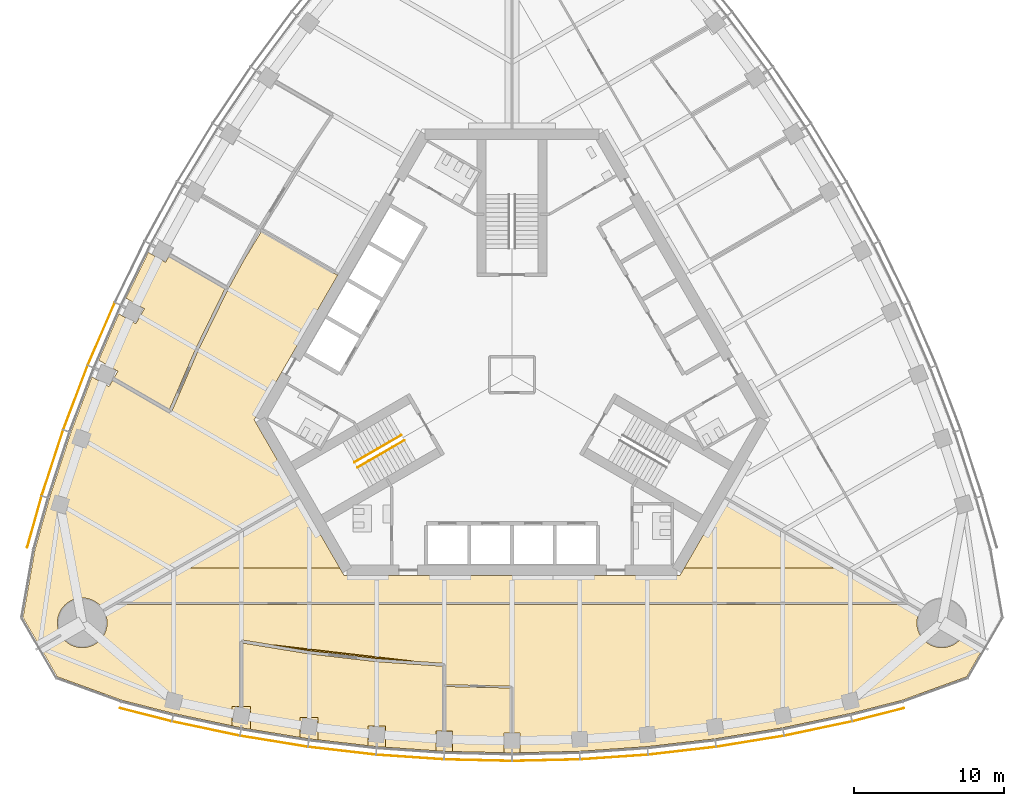
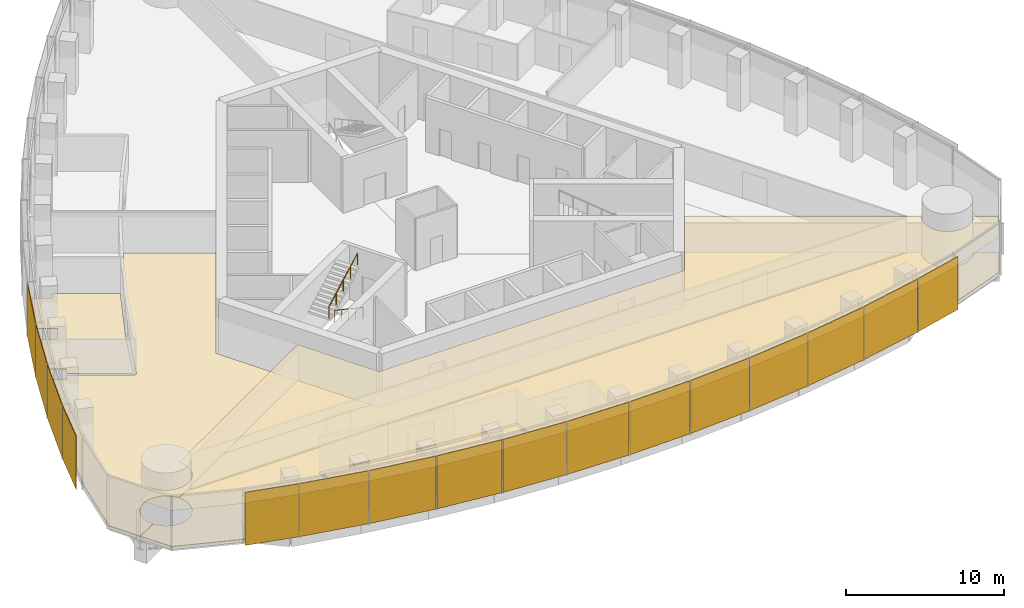
# One storey, part 15 of 19: 16 shading devices, 10 coverings, 2 railings.
"""IFC4 building model written with IfcOpenShell, lengths in metres."""

import ifcopenshell
import ifcopenshell.guid

model = None  # the IFC model being written
_history = None  # IfcOwnerHistory: only IFC2X3 demands one
_inside = {}  # id of a spatial element -> (the spatial element, [elements in it])
_under = {}  # id of a project, library or spatial element -> (it, [spatial elements below it])
_declared = {}  # id of a project -> (the project, [libraries it declares])
_typed = {}  # id of a type object -> (the type object, [elements of that type])
_made_of = {}  # id of a material, layer set ... -> (it, [elements and type objects made of it])


def new_model(schema):
    """Start an empty IFC model of exactly this schema.

    Asked for "IFC4X3", IfcOpenShell would pick the latest addendum, in which some entities
    have other attributes; the version numbers below select the first issue.
    IFC2X3 requires an IfcOwnerHistory on every rooted entity: one is made here for all.
    """
    global model, _history
    if schema == "IFC4X3":
        model = ifcopenshell.file(schema_version=(4, 3, 0, 0))
    else:
        model = ifcopenshell.file(schema=schema)
    _inside.clear()
    _under.clear()
    _declared.clear()
    _typed.clear()
    _made_of.clear()
    _history = None
    if model.schema == "IFC2X3":
        org = make("IfcOrganization", Name="unknown")
        user = make(
            "IfcPersonAndOrganization",
            ThePerson=make("IfcPerson", FamilyName="unknown"),
            TheOrganization=org,
        )
        app = make(
            "IfcApplication",
            ApplicationDeveloper=org,
            Version="unknown",
            ApplicationFullName="unknown",
            ApplicationIdentifier="unknown",
        )
        _history = make(
            "IfcOwnerHistory",
            OwningUser=user,
            OwningApplication=app,
            ChangeAction="ADDED",
            CreationDate=0,
        )
    return model


def make(cls, **values):
    """One entity of the class cls with the attributes given. An attribute that is None is left unset."""
    return model.create_entity(
        cls, **{name: value for name, value in values.items() if value is not None}
    )


def rooted(cls, **values):
    """An entity with a GlobalId (a new one), such as an element, a storey or a relation."""
    return make(cls, GlobalId=ifcopenshell.guid.new(), OwnerHistory=_history, **values)


def si_unit(unit_type, name, prefix=None):
    """IfcSIUnit, for example si_unit("LENGTHUNIT", "METRE", prefix="MILLI")."""
    return make("IfcSIUnit", UnitType=unit_type, Prefix=prefix, Name=name)


def assignment(units):
    """IfcUnitAssignment: the units of a project."""
    return None if units is None else make("IfcUnitAssignment", Units=units)


def point(xyz):
    """IfcCartesianPoint."""
    return None if xyz is None else make("IfcCartesianPoint", Coordinates=xyz)


def direction(xyz):
    """IfcDirection."""
    return None if xyz is None else make("IfcDirection", DirectionRatios=xyz)


def frame(location, z_axis=None, x_axis=None):
    """IfcAxis2Placement3D, a coordinate frame: its origin and axes. An axis left out is left unset."""
    return make(
        "IfcAxis2Placement3D",
        Location=point(location),
        Axis=direction(z_axis),
        RefDirection=direction(x_axis),
    )


def frame_2d(location, x_axis=None):
    """IfcAxis2Placement2D, a coordinate frame in the plane: its origin and x axis."""
    return make(
        "IfcAxis2Placement2D", Location=point(location), RefDirection=direction(x_axis)
    )


def origin():
    """The frame at (0, 0, 0) with its axes left unset."""
    return frame((0.0, 0.0, 0.0))


def origin_2d():
    """The frame at (0, 0) in the plane with its x axis left unset."""
    return frame_2d((0.0, 0.0))


def place(relative_to, where):
    """IfcLocalPlacement: puts the frame where relative to a parent placement (None: the world)."""
    return make(
        "IfcLocalPlacement", PlacementRelTo=relative_to, RelativePlacement=where
    )


def context(
    kind, dimensions, precision=None, world=None, true_north=None, identifier=None
):
    """IfcGeometricRepresentationContext, for example the 3D "Model" context."""
    return make(
        "IfcGeometricRepresentationContext",
        ContextIdentifier=identifier,
        ContextType=kind,
        CoordinateSpaceDimension=dimensions,
        Precision=precision,
        WorldCoordinateSystem=world,
        TrueNorth=true_north,
    )


def subcontext(parent, identifier, kind, view, scale=None):
    """IfcGeometricRepresentationSubContext, for example "Body" below "Model"."""
    return make(
        "IfcGeometricRepresentationSubContext",
        ContextIdentifier=identifier,
        ContextType=kind,
        ParentContext=parent,
        TargetScale=scale,
        TargetView=view,
    )


def project(units=None, contexts=None):
    """IfcProject with its units and contexts."""
    return rooted(
        "IfcProject",
        Name="project",
        RepresentationContexts=contexts,
        UnitsInContext=assignment(units),
    )


def spatial(cls, under=None, at=None, **own):
    """A site, building, storey or space (cls), placed at a placement, below another one or the project."""
    s = rooted(cls, ObjectPlacement=at, **own)
    if under is not None:
        _under.setdefault(under.id(), (under, []))[1].append(s)
    return s


def polyline(points):
    """IfcPolyline through the points."""
    return make("IfcPolyline", Points=[point(p) for p in points])


def profile(cls, at=None, kind="AREA", **sizes):
    """A parametric profile (cls). Its sizes go by their IFC names, for example OverallWidth=200.0."""
    return make(cls, ProfileType=kind, Position=at, **sizes)


def rectangle(**sizes):
    """IfcRectangleProfileDef."""
    return profile("IfcRectangleProfileDef", **sizes)


def circle(**sizes):
    """IfcCircleProfileDef."""
    return profile("IfcCircleProfileDef", **sizes)


def outline(outer, holes=None, kind="AREA"):
    """IfcArbitraryClosedProfileDef: a profile drawn as a closed curve; with holes, ...WithVoids."""
    if holes is None:
        return make("IfcArbitraryClosedProfileDef", ProfileType=kind, OuterCurve=outer)
    return make(
        "IfcArbitraryProfileDefWithVoids",
        ProfileType=kind,
        OuterCurve=outer,
        InnerCurves=holes,
    )


def extrude(swept, where, along, depth):
    """IfcExtrudedAreaSolid: the profile swept, set in the frame where, extruded along a direction by depth."""
    return make(
        "IfcExtrudedAreaSolid",
        SweptArea=swept,
        Position=where,
        ExtrudedDirection=direction(along),
        Depth=depth,
    )


def shape(context_of_items, identifier, shape_type, items):
    """IfcShapeRepresentation: the items that make up one representation, for example the "Body"."""
    return make(
        "IfcShapeRepresentation",
        ContextOfItems=context_of_items,
        RepresentationIdentifier=identifier,
        RepresentationType=shape_type,
        Items=items,
    )


def material(Name=None, Category=None):
    """IfcMaterial."""
    return make("IfcMaterial", Name=Name, Category=Category)


def layer(
    of_material, thickness, ventilated=None, Name=None, Category=None, Priority=None
):
    """IfcMaterialLayer: one layer of a wall or slab, of a material (None: an air gap)."""
    return make(
        "IfcMaterialLayer",
        Material=of_material,
        LayerThickness=thickness,
        IsVentilated=ventilated,
        Name=Name,
        Category=Category,
        Priority=Priority,
    )


def layer_set(layers, Name=None):
    """IfcMaterialLayerSet."""
    return make("IfcMaterialLayerSet", MaterialLayers=layers, LayerSetName=Name)


def made_of(thing, what):
    """Note that an element or type object is made of a material, layer set ...; save() writes the relation."""
    if what is not None:
        _made_of.setdefault(what.id(), (what, []))[1].append(thing)
    return thing


def type_object(cls, material=None, **own):
    """A type object (cls), such as IfcWallType, which elements share."""
    return made_of(rooted(cls, **own), material)


def element(
    cls,
    number,
    at=None,
    inside=None,
    cuts=None,
    type_object=None,
    material=None,
    context=None,
    identifier="Body",
    shape_type=None,
    held_by="IfcProductDefinitionShape",
    body=None,
    shapes=None,
    **own,
):
    """One element of the class cls, such as IfcWall. Its Tag is "e" and its number.

    at: its placement. inside: the storey or other place that contains it. cuts: it is an
    opening in that element (IfcRelVoidsElement). A single representation is given by context,
    identifier, shape_type and body (its items); several are given by shapes. held_by: the class
    of the entity that holds the representations. save() writes the other relations.
    """
    e = rooted(cls, Tag="e%d" % number, ObjectPlacement=at, **own)
    if body is not None:
        shapes = [shape(context, identifier, shape_type, body)]
    if shapes is not None:
        e.Representation = make(held_by, Representations=shapes)
    if inside is not None:
        _inside.setdefault(inside.id(), (inside, []))[1].append(e)
    if cuts is not None:
        rooted(
            "IfcRelVoidsElement", RelatingBuildingElement=cuts, RelatedOpeningElement=e
        )
    if type_object is not None:
        _typed.setdefault(type_object.id(), (type_object, []))[1].append(e)
    return made_of(e, material)


def aggregate(whole, parts):
    """IfcRelAggregates: a whole, such as a stair, and the parts it consists of."""
    return rooted("IfcRelAggregates", RelatingObject=whole, RelatedObjects=parts)


def save(model, path):
    """Write the relations noted so far, then the file.

    IfcRelAggregates (storeys below a building ...), IfcRelContainedInSpatialStructure (elements
    in a storey), IfcRelDefinesByType, IfcRelAssociatesMaterial and IfcRelDeclares: one each for
    every whole, place, type object, material and project.
    """
    for whole, parts in _under.values():
        aggregate(whole, parts)
    for where, things in _inside.values():
        rooted(
            "IfcRelContainedInSpatialStructure",
            RelatedElements=things,
            RelatingStructure=where,
        )
    for kind, things in _typed.values():
        rooted("IfcRelDefinesByType", RelatedObjects=things, RelatingType=kind)
    for what, things in _made_of.values():
        rooted("IfcRelAssociatesMaterial", RelatedObjects=things, RelatingMaterial=what)
    for by, libraries in _declared.values():
        rooted("IfcRelDeclares", RelatingContext=by, RelatedDefinitions=libraries)
    model.write(path)


model = new_model("IFC4")

# Units and contexts
model_context = context("Model", 3, precision=1e-05, world=origin(), true_north=direction((0.0, 1.0)))
body_context = subcontext(model_context, "Body", "Model", "MODEL_VIEW")
ifc_project = project(units=[si_unit("LENGTHUNIT", "METRE"), si_unit("AREAUNIT", "SQUARE_METRE"), si_unit("VOLUMEUNIT", "CUBIC_METRE"), si_unit("PLANEANGLEUNIT", "RADIAN"), si_unit("MASSUNIT", "GRAM", prefix="KILO")], contexts=[model_context])

# Site, building, storey
site_placement = place(None, origin())
site = spatial("IfcSite", under=ifc_project, at=site_placement, CompositionType="ELEMENT")
building_placement = place(site_placement, origin())
building = spatial("IfcBuilding", under=site, at=building_placement, Name="Trefoil Bronze Tower", CompositionType="ELEMENT")
storey_placement = place(building_placement, frame((0.0, 0.0, 227.5)))
storey = spatial("IfcBuildingStorey", under=building, at=storey_placement, Name="L52", CompositionType="ELEMENT", Elevation=227.5)

# Shading devices
ifc_material_1 = material(Name="Perforated bronze sheet", Category="bronze")
ifc_layer_1 = layer(ifc_material_1, 0.0400390625)
ifc_layer_set_1 = layer_set([ifc_layer_1], Name="Bronze solar screen panel")
shading_device_type = type_object("IfcShadingDeviceType", Name="Bronze solar screen panel", PredefinedType="SHUTTER", material=ifc_layer_set_1)
shading_device_1_placement = place(storey_placement, frame((-24.360107421875, -22.614501953125, 0.050048828125), z_axis=(0.0, 0.0, 1.0), x_axis=(0.968934035393, -0.247319297786, 0.0)))
element("IfcShadingDevice", 1, at=shading_device_1_placement, inside=storey, type_object=shading_device_type, Name="Solar screen CW-A L52 F1 bay 1", PredefinedType="SHUTTER", context=body_context, shape_type="SweptSolid", body=[
    extrude(rectangle(XDim=3.53369140625, YDim=0.0400390625, at=origin_2d()), origin(), (0.0, 0.0, 1.0), 4.10009765625),
])
shading_device_2_placement = place(storey_placement, frame((-20.361572265625, -23.535888671875, 0.050048828125), z_axis=(0.0, 0.0, 1.0), x_axis=(0.978394335897, -0.20674748725, 0.0)))
element("IfcShadingDevice", 2, at=shading_device_2_placement, inside=storey, type_object=shading_device_type, Name="Solar screen CW-A L52 F1 bay 2", PredefinedType="SHUTTER", context=body_context, shape_type="SweptSolid", body=[
    extrude(rectangle(XDim=4.5693359375, YDim=0.0400390625, at=origin_2d()), origin(), (0.0, 0.0, 1.0), 4.10009765625),
])
shading_device_3_placement = place(storey_placement, frame((-15.8369140625, -24.382568359375, 0.050048828125), z_axis=(0.0, 0.0, 1.0), x_axis=(0.986986549528, -0.160802832848, 0.0)))
element("IfcShadingDevice", 3, at=shading_device_3_placement, inside=storey, type_object=shading_device_type, Name="Solar screen CW-A L52 F1 bay 3", PredefinedType="SHUTTER", context=body_context, shape_type="SweptSolid", body=[
    extrude(rectangle(XDim=4.529296875, YDim=0.0400390625, at=origin_2d()), origin(), (0.0, 0.0, 1.0), 4.10009765625),
])
shading_device_4_placement = place(storey_placement, frame((-11.31201171875, -25.0126953125, 0.050048828125), z_axis=(0.0, 0.0, 1.0), x_axis=(0.993381831741, -0.114858767043, 0.0)))
element("IfcShadingDevice", 4, at=shading_device_4_placement, inside=storey, type_object=shading_device_type, Name="Solar screen CW-A L52 F1 bay 4", PredefinedType="SHUTTER", context=body_context, shape_type="SweptSolid", body=[
    extrude(rectangle(XDim=4.5, YDim=0.0400390625, at=origin_2d()), origin(), (0.0, 0.0, 1.0), 4.10009765625),
])
shading_device_5_placement = place(storey_placement, frame((-6.787109375, -25.430419921875, 0.050048828125), z_axis=(0.0, 0.0, 1.0), x_axis=(0.99762252804, -0.068915103905, 0.0)))
element("IfcShadingDevice", 5, at=shading_device_5_placement, inside=storey, type_object=shading_device_type, Name="Solar screen CW-A L52 F1 bay 5", PredefinedType="SHUTTER", context=body_context, shape_type="SweptSolid", body=[
    extrude(rectangle(XDim=4.480712890625, YDim=0.0400390625, at=origin_2d()), origin(), (0.0, 0.0, 1.0), 4.10009765625),
])
for number, where, z_axis, x_axis, name in (
    (6, (-2.262451171875, -25.638671875, 0.050048828125), (0.0, 0.0, 1.0), (0.999736116243, -0.022971675577, 0.0), "Solar screen CW-A L52 F1 bay 6"),
    (7, (2.262451171875, -25.638671875, 0.050048828125), (0.0, 0.0, 1.0), (0.999736116243, 0.022971675577, 0.0), "Solar screen CW-A L52 F1 bay 7"),
):
    element("IfcShadingDevice", number, at=place(storey_placement, frame(where, z_axis=z_axis, x_axis=x_axis)), inside=storey, type_object=shading_device_type, Name=name, PredefinedType="SHUTTER", context=body_context, shape_type="SweptSolid", body=[
        extrude(rectangle(XDim=4.47119140625, YDim=0.0400390625, at=origin_2d()), origin(), (0.0, 0.0, 1.0), 4.10009765625),
    ])
shading_device_6_placement = place(storey_placement, frame((6.787109375, -25.430419921875, 0.050048828125), z_axis=(0.0, 0.0, 1.0), x_axis=(0.99762252804, 0.068915103905, 0.0)))
element("IfcShadingDevice", 8, at=shading_device_6_placement, inside=storey, type_object=shading_device_type, Name="Solar screen CW-A L52 F1 bay 8", PredefinedType="SHUTTER", context=body_context, shape_type="SweptSolid", body=[
    extrude(rectangle(XDim=4.480712890625, YDim=0.0400390625, at=origin_2d()), origin(), (0.0, 0.0, 1.0), 4.10009765625),
])
shading_device_7_placement = place(storey_placement, frame((11.31201171875, -25.0126953125, 0.050048828125), z_axis=(0.0, 0.0, 1.0), x_axis=(0.993381831741, 0.114858767043, 0.0)))
element("IfcShadingDevice", 9, at=shading_device_7_placement, inside=storey, type_object=shading_device_type, Name="Solar screen CW-A L52 F1 bay 9", PredefinedType="SHUTTER", context=body_context, shape_type="SweptSolid", body=[
    extrude(rectangle(XDim=4.5, YDim=0.0400390625, at=origin_2d()), origin(), (0.0, 0.0, 1.0), 4.10009765625),
])
shading_device_8_placement = place(storey_placement, frame((15.8369140625, -24.382568359375, 0.050048828125), z_axis=(0.0, 0.0, 1.0), x_axis=(0.986986549528, 0.160802832848, 0.0)))
element("IfcShadingDevice", 10, at=shading_device_8_placement, inside=storey, type_object=shading_device_type, Name="Solar screen CW-A L52 F1 bay 10", PredefinedType="SHUTTER", context=body_context, shape_type="SweptSolid", body=[
    extrude(rectangle(XDim=4.529296875, YDim=0.0400390625, at=origin_2d()), origin(), (0.0, 0.0, 1.0), 4.10009765625),
])
shading_device_9_placement = place(storey_placement, frame((20.361572265625, -23.535888671875, 0.050048828125), z_axis=(0.0, 0.0, 1.0), x_axis=(0.978394335897, 0.20674748725, 0.0)))
element("IfcShadingDevice", 11, at=shading_device_9_placement, inside=storey, type_object=shading_device_type, Name="Solar screen CW-A L52 F1 bay 11", PredefinedType="SHUTTER", context=body_context, shape_type="SweptSolid", body=[
    extrude(rectangle(XDim=4.5693359375, YDim=0.0400390625, at=origin_2d()), origin(), (0.0, 0.0, 1.0), 4.10009765625),
])
shading_device_10_placement = place(storey_placement, frame((24.360107421875, -22.614501953125, 0.050048828125), z_axis=(0.0, 0.0, 1.0), x_axis=(0.968934035393, 0.247319297786, 0.0)))
element("IfcShadingDevice", 12, at=shading_device_10_placement, inside=storey, type_object=shading_device_type, Name="Solar screen CW-A L52 F1 bay 12", PredefinedType="SHUTTER", context=body_context, shape_type="SweptSolid", body=[
    extrude(rectangle(XDim=3.53369140625, YDim=0.0400390625, at=origin_2d()), origin(), (0.0, 0.0, 1.0), 4.10009765625),
])
shading_device_11_placement = place(storey_placement, frame((-27.317626953125, 2.709716796875, 0.050048828125), z_axis=(0.0, 0.0, 1.0), x_axis=(-0.397220305764, -0.917723285467, 0.0)))
element("IfcShadingDevice", 13, at=shading_device_11_placement, inside=storey, type_object=shading_device_type, Name="Solar screen CW-A L52 F3 bay 9", PredefinedType="SHUTTER", context=body_context, shape_type="SweptSolid", body=[
    extrude(rectangle(XDim=4.5, YDim=0.0400390625, at=origin_2d()), origin(), (0.0, 0.0, 1.0), 4.10009765625),
])
shading_device_12_placement = place(storey_placement, frame((-29.0341796875, -1.52392578125, 0.050048828125), z_axis=(0.0, 0.0, 1.0), x_axis=(-0.354233936517, -0.935156841508, 0.0)))
element("IfcShadingDevice", 14, at=shading_device_12_placement, inside=storey, type_object=shading_device_type, Name="Solar screen CW-A L52 F3 bay 10", PredefinedType="SHUTTER", context=body_context, shape_type="SweptSolid", body=[
    extrude(rectangle(XDim=4.529296875, YDim=0.0400390625, at=origin_2d()), origin(), (0.0, 0.0, 1.0), 4.10009765625),
])
shading_device_13_placement = place(storey_placement, frame((-30.5634765625, -5.86572265625, 0.050048828125), z_axis=(0.0, 0.0, 1.0), x_axis=(-0.310148591821, -0.950688093431, 0.0)))
element("IfcShadingDevice", 15, at=shading_device_13_placement, inside=storey, type_object=shading_device_type, Name="Solar screen CW-A L52 F3 bay 11", PredefinedType="SHUTTER", context=body_context, shape_type="SweptSolid", body=[
    extrude(rectangle(XDim=4.5693359375, YDim=0.0400390625, at=origin_2d()), origin(), (0.0, 0.0, 1.0), 4.10009765625),
])
shading_device_14_placement = place(storey_placement, frame((-31.764892578125, -9.7890625, 0.050048828125), z_axis=(0.0, 0.0, 1.0), x_axis=(-0.270282222968, -0.962781138134, 0.0)))
element("IfcShadingDevice", 16, at=shading_device_14_placement, inside=storey, type_object=shading_device_type, Name="Solar screen CW-A L52 F3 bay 12", PredefinedType="SHUTTER", context=body_context, shape_type="SweptSolid", body=[
    extrude(rectangle(XDim=3.53369140625, YDim=0.0400390625, at=origin_2d()), origin(), (0.0, 0.0, 1.0), 4.10009765625),
])

# Railings
ifc_material_2 = material(Name="Steel handrail", Category="steel")
railing_type = type_object("IfcRailingType", Name="Handrail 900", PredefinedType="HANDRAIL", material=ifc_material_2)
railing_1_placement = place(storey_placement, frame((-7.166015625, -4.3681640625, 0.16162109375)))
element("IfcRailing", 17, at=railing_1_placement, inside=storey, type_object=railing_type, Name="Handrail ST3 flight 1 L52", PredefinedType="HANDRAIL", context=body_context, shape_type="SweptSolid", body=[
    extrude(circle(Radius=0.02392578125, at=origin_2d()), frame((0.0, 0.0, 0.8759765625), z_axis=(-0.76250339821, -0.440245697338, 0.474101564745), x_axis=(0.500012057535, -0.866018442252, 0.0)), (0.0, 0.0, 1.0), 4.088623046875),
    extrude(circle(Radius=0.02099609375, at=origin_2d()), origin(), (0.0, 0.0, 1.0), 0.851806640625),
    extrude(circle(Radius=0.02099609375, at=origin_2d()), frame((-0.779296875, -0.449951171875, 0.484619140625)), (0.0, 0.0, 1.0), 0.851806640625),
    extrude(circle(Radius=0.02099609375, at=origin_2d()), frame((-1.558837890625, -0.89990234375, 0.96923828125)), (0.0, 0.0, 1.0), 0.851806640625),
    extrude(circle(Radius=0.02099609375, at=origin_2d()), frame((-2.33837890625, -1.35009765625, 1.453857421875)), (0.0, 0.0, 1.0), 0.851806640625),
    extrude(circle(Radius=0.02099609375, at=origin_2d()), frame((-3.11767578125, -1.800048828125, 1.9384765625)), (0.0, 0.0, 1.0), 0.851806640625),
])
railing_2_placement = place(storey_placement, frame((-10.483642578125, -5.82177734375, 2.261474609375)))
element("IfcRailing", 18, at=railing_2_placement, inside=storey, type_object=railing_type, Name="Handrail ST3 flight 2 L52", PredefinedType="HANDRAIL", context=body_context, shape_type="SweptSolid", body=[
    extrude(circle(Radius=0.02392578125, at=origin_2d()), frame((0.0, 0.0, 0.8759765625), z_axis=(0.76250339821, 0.440245697338, 0.474101564745), x_axis=(-0.500012057535, 0.866018442252, 0.0)), (0.0, 0.0, 1.0), 4.088623046875),
    extrude(circle(Radius=0.02099609375, at=origin_2d()), origin(), (0.0, 0.0, 1.0), 0.851806640625),
    extrude(circle(Radius=0.02099609375, at=origin_2d()), frame((0.779296875, 0.449951171875, 0.484619140625)), (0.0, 0.0, 1.0), 0.851806640625),
    extrude(circle(Radius=0.02099609375, at=origin_2d()), frame((1.558837890625, 0.89990234375, 0.96923828125)), (0.0, 0.0, 1.0), 0.851806640625),
    extrude(circle(Radius=0.02099609375, at=origin_2d()), frame((2.33837890625, 1.35009765625, 1.453857421875)), (0.0, 0.0, 1.0), 0.851806640625),
    extrude(circle(Radius=0.02099609375, at=origin_2d()), frame((3.11767578125, 1.800048828125, 1.9384765625)), (0.0, 0.0, 1.0), 0.851806640625),
])

# Coverings
ifc_material_3 = material(Name="Acoustic ceiling panels", Category="mineral fibre")
ifc_layer_2 = layer(ifc_material_3, 0.02001953125)
ifc_layer_set_2 = layer_set([ifc_layer_2], Name="Office ceiling 20")
covering_type_1 = type_object("IfcCoveringType", Name="Office ceiling 20", PredefinedType="CEILING", material=ifc_layer_set_2)
covering_1_placement = place(storey_placement, frame((0.0, 0.0, 2.89990234375)))
element("IfcCovering", 19, at=covering_1_placement, inside=storey, type_object=covering_type_1, Name="Ceiling L52 Open-plan office F1", PredefinedType="CEILING", context=body_context, shape_type="SweptSolid", body=[
    extrude(outline(polyline([(-29.95068359375, -17.416748046875), (-29.904052734375, -17.48291015625), (-29.854248046875, -17.546630859375), (-29.801513671875, -17.608154296875), (-29.74560546875, -17.666748046875), (-29.68701171875, -17.72265625), (-29.62548828125, -17.775390625), (-29.561767578125, -17.8251953125), (-29.49560546875, -17.871826171875), (-29.427001953125, -17.915283203125), (-29.356689453125, -17.955078125), (-29.2841796875, -17.99169921875), (-29.210205078125, -18.0244140625), (-29.134765625, -18.053466796875), (-29.057861328125, -18.0791015625), (-28.979736328125, -18.1005859375), (-28.900634765625, -18.118408203125), (-28.82080078125, -18.132080078125), (-28.740478515625, -18.14208984375), (-28.659912109375, -18.14794921875), (-28.578857421875, -18.14990234375), (-28.497802734375, -18.14794921875), (-28.4169921875, -18.14208984375), (-28.336669921875, -18.132080078125), (-28.2568359375, -18.118408203125), (-28.177978515625, -18.1005859375), (-28.099853515625, -18.0791015625), (-28.02294921875, -18.053466796875), (-27.947509765625, -18.0244140625), (-27.873291015625, -17.99169921875), (-27.801025390625, -17.955078125), (-27.730712890625, -17.915283203125), (-27.662109375, -17.871826171875), (-27.595947265625, -17.8251953125), (-27.531982421875, -17.775390625), (-27.470703125, -17.72265625), (-27.412109375, -17.666748046875), (-27.356201171875, -17.608154296875), (-27.303466796875, -17.546630859375), (-27.25341796875, -17.48291015625), (-27.206787109375, -17.416748046875), (-27.16357421875, -17.348388671875), (-27.123779296875, -17.27783203125), (-27.08740234375, -17.20556640625), (-27.054443359375, -17.13134765625), (-27.025390625, -17.055908203125), (-27.0, -16.97900390625), (-26.978271484375, -16.90087890625), (-26.96044921875, -16.822021484375), (-26.94677734375, -16.7421875), (-26.936767578125, -16.66162109375), (-26.930908203125, -16.5810546875), (-26.9287109375, -16.5), (-26.930908203125, -16.4189453125), (-26.936767578125, -16.33837890625), (-26.94677734375, -16.2578125), (-26.96044921875, -16.177978515625), (-26.978271484375, -16.09912109375), (-27.0, -16.02099609375), (-27.025390625, -15.944091796875), (-27.054443359375, -15.86865234375), (-27.08740234375, -15.79443359375), (-27.123779296875, -15.72216796875), (-27.14453125, -15.685546875), (-14.156494140625, -8.180419921875), (-11.171630859375, -13.35009765625), (11.171630859375, -13.35009765625), (14.156494140625, -8.180419921875), (27.14453125, -15.685546875), (27.123779296875, -15.72216796875), (27.08740234375, -15.79443359375), (27.054443359375, -15.86865234375), (27.025390625, -15.944091796875), (27.0, -16.02099609375), (26.978271484375, -16.09912109375), (26.96044921875, -16.177978515625), (26.94677734375, -16.2578125), (26.936767578125, -16.33837890625), (26.930908203125, -16.4189453125), (26.9287109375, -16.5), (26.930908203125, -16.5810546875), (26.936767578125, -16.66162109375), (26.94677734375, -16.7421875), (26.96044921875, -16.822021484375), (26.978271484375, -16.90087890625), (27.0, -16.97900390625), (27.025390625, -17.055908203125), (27.054443359375, -17.13134765625), (27.08740234375, -17.20556640625), (27.123779296875, -17.27783203125), (27.16357421875, -17.348388671875), (27.206787109375, -17.416748046875), (27.25341796875, -17.48291015625), (27.303466796875, -17.546630859375), (27.356201171875, -17.608154296875), (27.412109375, -17.666748046875), (27.470703125, -17.72265625), (27.531982421875, -17.775390625), (27.595947265625, -17.8251953125), (27.662109375, -17.871826171875), (27.730712890625, -17.915283203125), (27.801025390625, -17.955078125), (27.873291015625, -17.99169921875), (27.947509765625, -18.0244140625), (28.02294921875, -18.053466796875), (28.099853515625, -18.0791015625), (28.177978515625, -18.1005859375), (28.2568359375, -18.118408203125), (28.336669921875, -18.132080078125), (28.4169921875, -18.14208984375), (28.497802734375, -18.14794921875), (28.578857421875, -18.14990234375), (28.659912109375, -18.14794921875), (28.740478515625, -18.14208984375), (28.82080078125, -18.132080078125), (28.900634765625, -18.118408203125), (28.979736328125, -18.1005859375), (29.057861328125, -18.0791015625), (29.134765625, -18.053466796875), (29.210205078125, -18.0244140625), (29.2841796875, -17.99169921875), (29.356689453125, -17.955078125), (29.427001953125, -17.915283203125), (29.49560546875, -17.871826171875), (29.561767578125, -17.8251953125), (29.62548828125, -17.775390625), (29.68701171875, -17.72265625), (29.74560546875, -17.666748046875), (29.801513671875, -17.608154296875), (29.854248046875, -17.546630859375), (29.904052734375, -17.48291015625), (29.95068359375, -17.416748046875), (30.0009765625, -17.336181640625), (31.37158203125, -18.1279296875), (30.23828125, -20.0908203125), (25.952880859375, -21.650634765625), (22.5, -22.531982421875), (18.0, -23.48291015625), (13.5, -24.216064453125), (9.0, -24.736328125), (4.5, -25.047119140625), (0.0, -25.150634765625), (-4.5, -25.047119140625), (-9.0, -24.736328125), (-13.5, -24.216064453125), (-18.0, -23.48291015625), (-22.5, -22.531982421875), (-25.952880859375, -21.650634765625), (-30.23828125, -20.0908203125), (-31.37158203125, -18.1279296875), (-30.0009765625, -17.336181640625), (-29.95068359375, -17.416748046875)])), origin(), (0.0, 0.0, 1.0), 0.02001953125),
])
ifc_material_4 = material(Name="Raised access floor panels", Category="steel")
ifc_layer_3 = layer(ifc_material_4, 0.050048828125)
ifc_layer_set_3 = layer_set([ifc_layer_3], Name="Raised access floor 150")
covering_type_2 = type_object("IfcCoveringType", Name="Raised access floor 150", PredefinedType="FLOORING", material=ifc_layer_set_3)
covering_2_placement = place(storey_placement, frame((0.0, 0.0, 0.10009765625)))
element("IfcCovering", 20, at=covering_2_placement, inside=storey, type_object=covering_type_2, Name="Raised floor L52 Training room F1", PredefinedType="FLOORING", context=body_context, shape_type="SweptSolid", body=[
    extrude(outline(polyline([(-12.906494140625, -24.28466796875), (-12.906494140625, -22.81494140625), (-14.093505859375, -22.81494140625), (-14.093505859375, -24.119384765625), (-17.38623046875, -23.5830078125), (-17.38623046875, -22.055419921875), (-17.89990234375, -22.055419921875), (-17.89990234375, -17.8505859375), (-13.51611328125, -18.564697265625), (-13.5, -18.466064453125), (-13.511474609375, -18.5654296875), (-9.011474609375, -19.085693359375), (-9.0, -18.986328125), (-9.0068359375, -19.086181640625), (-4.60009765625, -19.390625), (-4.60009765625, -23.69091796875), (-4.5, -23.69091796875), (-4.5, -23.69677734375), (-5.049560546875, -23.69677734375), (-5.049560546875, -25.00927734375), (-8.427978515625, -24.77587890625), (-8.427978515625, -23.36083984375), (-9.572021484375, -23.36083984375), (-9.572021484375, -24.670166015625), (-12.906494140625, -24.28466796875)])), origin(), (0.0, 0.0, 1.0), 0.0498046875),
])
covering_3_placement = place(storey_placement, frame((0.0, 0.0, 0.10009765625)))
element("IfcCovering", 21, at=covering_3_placement, inside=storey, type_object=covering_type_2, Name="Raised floor L52 Training room F1", PredefinedType="FLOORING", context=body_context, shape_type="SweptSolid", body=[
    extrude(outline(polyline([(-6.64208984375, -19.049072265625), (-8.99072265625, -18.88671875), (-13.486083984375, -18.366943359375), (-15.846435546875, -17.982421875), (-6.64208984375, -19.049072265625)])), origin(), (0.0, 0.0, 1.0), 0.0498046875),
])
covering_4_placement = place(storey_placement, frame((0.0, 0.0, 0.10009765625)))
element("IfcCovering", 22, at=covering_4_placement, inside=storey, type_object=covering_type_2, Name="Raised floor L52 Pantry F1", PredefinedType="FLOORING", context=body_context, shape_type="SweptSolid", body=[
    extrude(outline(polyline([(-4.5, -23.69091796875), (-4.39990234375, -23.69091796875), (-4.39990234375, -20.739501953125), (-0.06005859375, -20.83935546875), (-0.06005859375, -23.795654296875), (0.0, -23.795654296875), (0.0, -23.82470703125), (-0.52587890625, -23.82470703125), (-0.52587890625, -25.138427734375), (-3.950439453125, -25.059814453125), (-3.950439453125, -23.69677734375), (-4.5, -23.69677734375), (-4.5, -23.69091796875)])), origin(), (0.0, 0.0, 1.0), 0.0498046875),
])
covering_5_placement = place(storey_placement, frame((0.0, 0.0, 0.10009765625)))
element("IfcCovering", 23, at=covering_5_placement, inside=storey, type_object=covering_type_2, Name="Raised floor L52 Corridor F1", PredefinedType="FLOORING", context=body_context, shape_type="SweptSolid", body=[
    extrude(outline(polyline([(26.218017578125, -15.14990234375), (-26.218017578125, -15.14990234375), (-22.237548828125, -12.85009765625), (-11.46044921875, -12.85009765625), (-11.171630859375, -13.35009765625), (11.171630859375, -13.35009765625), (11.46044921875, -12.85009765625), (22.237548828125, -12.85009765625), (26.218017578125, -15.14990234375)])), origin(), (0.0, 0.0, 1.0), 0.0498046875),
])
covering_6_placement = place(storey_placement, frame((0.0, 0.0, 0.10009765625)))
element("IfcCovering", 24, at=covering_6_placement, inside=storey, type_object=covering_type_2, Name="Raised floor L52 Open-plan office F1", PredefinedType="FLOORING", context=body_context, shape_type="SweptSolid", body=[
    extrude(outline(polyline([(-27.123779296875, -15.72216796875), (-27.14453125, -15.685546875), (-26.311767578125, -15.2041015625), (-26.311767578125, -15.27001953125), (26.311767578125, -15.27001953125), (26.311767578125, -15.2041015625), (27.14453125, -15.685546875), (27.123779296875, -15.72216796875), (27.08740234375, -15.79443359375), (27.054443359375, -15.86865234375), (27.025390625, -15.944091796875), (27.0, -16.02099609375), (26.978271484375, -16.09912109375), (26.96044921875, -16.177978515625), (26.94677734375, -16.2578125), (26.936767578125, -16.33837890625), (26.930908203125, -16.4189453125), (26.9287109375, -16.5), (26.930908203125, -16.5810546875), (26.936767578125, -16.66162109375), (26.94677734375, -16.7421875), (26.96044921875, -16.822021484375), (26.978271484375, -16.90087890625), (27.0, -16.97900390625), (27.025390625, -17.055908203125), (27.054443359375, -17.13134765625), (27.08740234375, -17.20556640625), (27.123779296875, -17.27783203125), (27.16357421875, -17.348388671875), (27.206787109375, -17.416748046875), (27.25341796875, -17.48291015625), (27.303466796875, -17.546630859375), (27.356201171875, -17.608154296875), (27.412109375, -17.666748046875), (27.470703125, -17.72265625), (27.531982421875, -17.775390625), (27.595947265625, -17.8251953125), (27.662109375, -17.871826171875), (27.730712890625, -17.915283203125), (27.801025390625, -17.955078125), (27.873291015625, -17.99169921875), (27.947509765625, -18.0244140625), (28.02294921875, -18.053466796875), (28.099853515625, -18.0791015625), (28.177978515625, -18.1005859375), (28.2568359375, -18.118408203125), (28.336669921875, -18.132080078125), (28.4169921875, -18.14208984375), (28.497802734375, -18.14794921875), (28.578857421875, -18.14990234375), (28.659912109375, -18.14794921875), (28.740478515625, -18.14208984375), (28.82080078125, -18.132080078125), (28.900634765625, -18.118408203125), (28.979736328125, -18.1005859375), (29.057861328125, -18.0791015625), (29.134765625, -18.053466796875), (29.210205078125, -18.0244140625), (29.2841796875, -17.99169921875), (29.356689453125, -17.955078125), (29.427001953125, -17.915283203125), (29.49560546875, -17.871826171875), (29.561767578125, -17.8251953125), (29.62548828125, -17.775390625), (29.68701171875, -17.72265625), (29.74560546875, -17.666748046875), (29.801513671875, -17.608154296875), (29.854248046875, -17.546630859375), (29.904052734375, -17.48291015625), (29.95068359375, -17.416748046875), (30.0009765625, -17.336181640625), (31.37158203125, -18.1279296875), (30.23828125, -20.0908203125), (25.952880859375, -21.650634765625), (22.5, -22.531982421875), (18.0, -23.48291015625), (13.5, -24.216064453125), (9.0, -24.736328125), (4.5, -25.047119140625), (0.52587890625, -25.138427734375), (0.52587890625, -23.82470703125), (0.0, -23.82470703125), (0.0, -23.795654296875), (0.06005859375, -23.795654296875), (0.06005859375, -20.780517578125), (0.0, -20.780517578125), (0.00146484375, -20.720703125), (-4.39990234375, -20.619384765625), (-4.39990234375, -19.297119140625), (-4.5, -19.297119140625), (-4.4931640625, -19.197509765625), (-6.64208984375, -19.049072265625), (-15.846435546875, -17.982421875), (-17.98388671875, -17.63427734375), (-18.0, -17.73291015625), (-18.10009765625, -17.73291015625), (-18.10009765625, -22.055419921875), (-18.61376953125, -22.055419921875), (-18.61376953125, -23.353271484375), (-22.5, -22.531982421875), (-25.952880859375, -21.650634765625), (-30.23828125, -20.0908203125), (-31.37158203125, -18.1279296875), (-30.0009765625, -17.336181640625), (-29.95068359375, -17.416748046875), (-29.904052734375, -17.48291015625), (-29.854248046875, -17.546630859375), (-29.801513671875, -17.608154296875), (-29.74560546875, -17.666748046875), (-29.68701171875, -17.72265625), (-29.62548828125, -17.775390625), (-29.561767578125, -17.8251953125), (-29.49560546875, -17.871826171875), (-29.427001953125, -17.915283203125), (-29.356689453125, -17.955078125), (-29.2841796875, -17.99169921875), (-29.210205078125, -18.0244140625), (-29.134765625, -18.053466796875), (-29.057861328125, -18.0791015625), (-28.979736328125, -18.1005859375), (-28.900634765625, -18.118408203125), (-28.82080078125, -18.132080078125), (-28.740478515625, -18.14208984375), (-28.659912109375, -18.14794921875), (-28.578857421875, -18.14990234375), (-28.497802734375, -18.14794921875), (-28.4169921875, -18.14208984375), (-28.336669921875, -18.132080078125), (-28.2568359375, -18.118408203125), (-28.177978515625, -18.1005859375), (-28.099853515625, -18.0791015625), (-28.02294921875, -18.053466796875), (-27.947509765625, -18.0244140625), (-27.873291015625, -17.99169921875), (-27.801025390625, -17.955078125), (-27.730712890625, -17.915283203125), (-27.662109375, -17.871826171875), (-27.595947265625, -17.8251953125), (-27.531982421875, -17.775390625), (-27.470703125, -17.72265625), (-27.412109375, -17.666748046875), (-27.356201171875, -17.608154296875), (-27.303466796875, -17.546630859375), (-27.25341796875, -17.48291015625), (-27.206787109375, -17.416748046875), (-27.16357421875, -17.348388671875), (-27.123779296875, -17.27783203125), (-27.08740234375, -17.20556640625), (-27.054443359375, -17.13134765625), (-27.025390625, -17.055908203125), (-27.0, -16.97900390625), (-26.978271484375, -16.90087890625), (-26.96044921875, -16.822021484375), (-26.94677734375, -16.7421875), (-26.936767578125, -16.66162109375), (-26.930908203125, -16.5810546875), (-26.9287109375, -16.5), (-26.930908203125, -16.4189453125), (-26.936767578125, -16.33837890625), (-26.94677734375, -16.2578125), (-26.96044921875, -16.177978515625), (-26.978271484375, -16.09912109375), (-27.0, -16.02099609375), (-27.025390625, -15.944091796875), (-27.054443359375, -15.86865234375), (-27.08740234375, -15.79443359375), (-27.123779296875, -15.72216796875)])), origin(), (0.0, 0.0, 1.0), 0.0498046875),
])
covering_7_placement = place(storey_placement, frame((0.0, 0.0, 0.10009765625)))
element("IfcCovering", 25, at=covering_7_placement, inside=storey, type_object=covering_type_2, Name="Raised floor L52 Open-plan office F1", PredefinedType="FLOORING", context=body_context, shape_type="SweptSolid", body=[
    extrude(outline(polyline([(14.156494140625, -8.180419921875), (22.237548828125, -12.85009765625), (11.46044921875, -12.85009765625), (14.156494140625, -8.180419921875)])), origin(), (0.0, 0.0, 1.0), 0.0498046875),
])
covering_8_placement = place(storey_placement, frame((0.0, 0.0, 0.10009765625)))
element("IfcCovering", 26, at=covering_8_placement, inside=storey, type_object=covering_type_2, Name="Raised floor L52 Open-plan office F1", PredefinedType="FLOORING", context=body_context, shape_type="SweptSolid", body=[
    extrude(outline(polyline([(-22.237548828125, -12.85009765625), (-14.156494140625, -8.180419921875), (-11.46044921875, -12.85009765625), (-22.237548828125, -12.85009765625)])), origin(), (0.0, 0.0, 1.0), 0.0498046875),
])
covering_9_placement = place(storey_placement, frame((0.0, 0.0, 0.10009765625)))
element("IfcCovering", 27, at=covering_9_placement, inside=storey, type_object=covering_type_2, Name="Raised floor L52 Training room F3", PredefinedType="FLOORING", context=body_context, shape_type="SweptSolid", body=[
    extrude(outline(polyline([(-26.151123046875, 4.04541015625), (-25.01708984375, 3.390625), (-24.445068359375, 4.381591796875), (-25.67041015625, 5.089111328125), (-24.18359375, 8.131591796875), (-23.046875, 7.475341796875), (-22.77197265625, 7.951416015625), (-22.766845703125, 7.9482421875), (-22.81689453125, 7.86181640625), (-19.0927734375, 5.711669921875), (-21.032470703125, 1.742919921875), (-20.942626953125, 1.698974609375), (-21.034423828125, 1.73876953125), (-22.789306640625, -2.315673828125), (-26.458251953125, -0.197265625), (-26.21142578125, 0.22998046875), (-27.484375, 0.965087890625), (-26.151123046875, 4.04541015625)])), origin(), (0.0, 0.0, 1.0), 0.0498046875),
])
covering_10_placement = place(storey_placement, frame((0.0, 0.0, 0.10009765625)))
element("IfcCovering", 28, at=covering_10_placement, inside=storey, type_object=covering_type_2, Name="Raised floor L52 Open-plan office F3", PredefinedType="FLOORING", context=body_context, shape_type="SweptSolid", body=[
    extrude(outline(polyline([(-32.518310546875, -16.1416015625), (-31.7265625, -11.650634765625), (-30.76318359375, -8.219482421875), (-29.3369140625, -3.846923828125), (-27.934814453125, -0.1455078125), (-26.804931640625, -0.7978515625), (-26.55810546875, -0.37060546875), (-22.7919921875, -2.544921875), (-22.7421875, -2.458251953125), (-22.650390625, -2.498046875), (-20.92529296875, 1.487548828125), (-20.77099609375, 1.822509765625), (-18.873046875, 5.70556640625), (-17.831298828125, 7.609619140625), (-16.6611328125, 9.53271484375), (-11.607666015625, 6.614990234375), (-11.570556640625, 6.67919921875), (-11.56201171875, 6.674072265625), (-17.147216796875, -3.0), (-14.16259765625, -8.169677734375), (-27.156005859375, -15.6650390625), (-27.206787109375, -15.583251953125), (-27.25341796875, -15.51708984375), (-27.303466796875, -15.453369140625), (-27.356201171875, -15.391845703125), (-27.412109375, -15.333251953125), (-27.470703125, -15.27734375), (-27.531982421875, -15.224609375), (-27.595947265625, -15.1748046875), (-27.662109375, -15.128173828125), (-27.730712890625, -15.084716796875), (-27.801025390625, -15.044921875), (-27.873291015625, -15.00830078125), (-27.947509765625, -14.9755859375), (-28.02294921875, -14.946533203125), (-28.099853515625, -14.9208984375), (-28.177978515625, -14.8994140625), (-28.2568359375, -14.881591796875), (-28.336669921875, -14.867919921875), (-28.4169921875, -14.85791015625), (-28.497802734375, -14.85205078125), (-28.578857421875, -14.85009765625), (-28.659912109375, -14.85205078125), (-28.740478515625, -14.85791015625), (-28.82080078125, -14.867919921875), (-28.900634765625, -14.881591796875), (-28.979736328125, -14.8994140625), (-29.057861328125, -14.9208984375), (-29.134765625, -14.946533203125), (-29.210205078125, -14.9755859375), (-29.2841796875, -15.00830078125), (-29.356689453125, -15.044921875), (-29.427001953125, -15.084716796875), (-29.49560546875, -15.128173828125), (-29.561767578125, -15.1748046875), (-29.62548828125, -15.224609375), (-29.68701171875, -15.27734375), (-29.74560546875, -15.333251953125), (-29.801513671875, -15.391845703125), (-29.854248046875, -15.453369140625), (-29.904052734375, -15.51708984375), (-29.95068359375, -15.583251953125), (-29.994140625, -15.651611328125), (-30.033935546875, -15.72216796875), (-30.0703125, -15.79443359375), (-30.103271484375, -15.86865234375), (-30.13232421875, -15.944091796875), (-30.15771484375, -16.02099609375), (-30.179443359375, -16.09912109375), (-30.197021484375, -16.177978515625), (-30.2109375, -16.2578125), (-30.220947265625, -16.33837890625), (-30.226806640625, -16.4189453125), (-30.228759765625, -16.5), (-30.226806640625, -16.5810546875), (-30.220947265625, -16.66162109375), (-30.2109375, -16.7421875), (-30.197021484375, -16.822021484375), (-30.179443359375, -16.90087890625), (-30.15771484375, -16.97900390625), (-30.13232421875, -17.055908203125), (-30.103271484375, -17.13134765625), (-30.0703125, -17.20556640625), (-30.033935546875, -17.27783203125), (-30.013916015625, -17.3134765625), (-31.385009765625, -18.1044921875), (-32.518310546875, -16.1416015625)])), origin(), (0.0, 0.0, 1.0), 0.0498046875),
])

save(model, "model.ifc")
